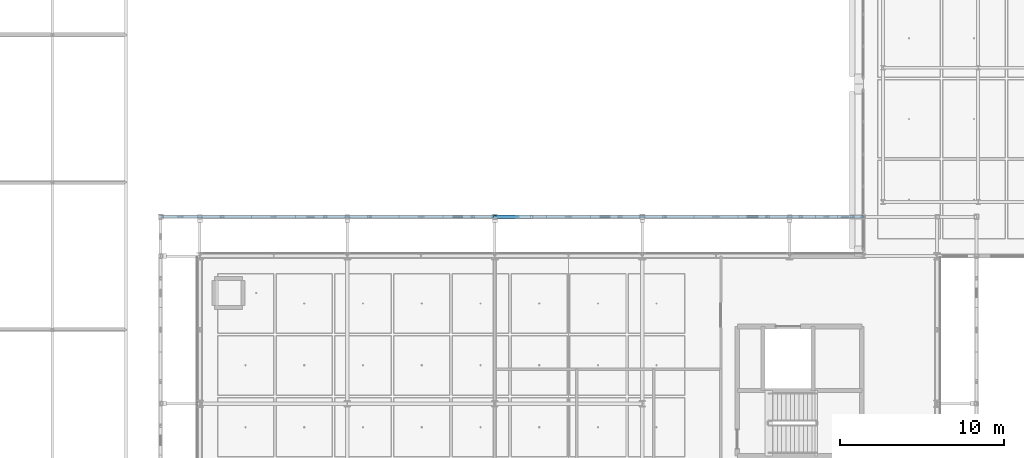
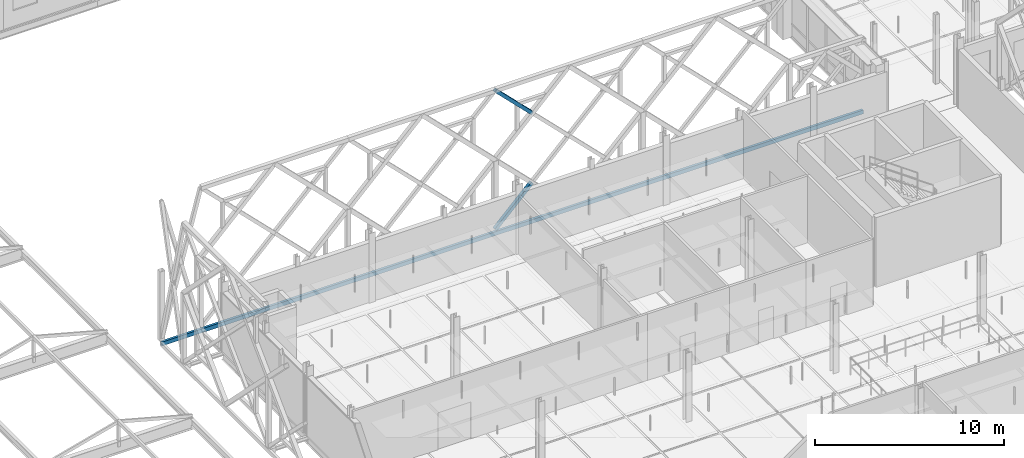
# One storey, part 39 of 140: 2 members, 1 beam.
"""IFC4 building model written with IfcOpenShell, lengths in metres."""

from ifc_helpers import new_model, si_unit, direction, frame, origin, origin_2d, place, context, subcontext, project, spatial, hollow_rectangle, extrude, material, material_profile, profile_set, type_object, element, save


model = new_model("IFC4")

# Units and contexts
model_context = context("Model", 3, precision=1e-05, world=origin(), true_north=direction((0.0, 1.0)))
body_context = subcontext(model_context, "Body", "Model", "MODEL_VIEW")
ifc_project = project(units=[si_unit("LENGTHUNIT", "METRE"), si_unit("AREAUNIT", "SQUARE_METRE"), si_unit("VOLUMEUNIT", "CUBIC_METRE"), si_unit("PLANEANGLEUNIT", "RADIAN"), si_unit("MASSUNIT", "GRAM", prefix="KILO"), si_unit("THERMODYNAMICTEMPERATUREUNIT", "KELVIN"), si_unit("POWERUNIT", "WATT")], contexts=[model_context])

# Site, building, storey
site_placement = place(None, origin())
site = spatial("IfcSite", under=ifc_project, at=site_placement, CompositionType="ELEMENT")
building_placement = place(site_placement, origin())
building = spatial("IfcBuilding", under=site, at=building_placement, Name="Tallowbark Science Centre", CompositionType="ELEMENT")
storey_placement = place(building_placement, frame((0.0, 0.0, 9.89990234375)))
storey = spatial("IfcBuildingStorey", under=building, at=storey_placement, Name="L02", CompositionType="ELEMENT", Elevation=9.89990234375)

# Members
ifc_material = material(Name="White Architectural Painted Steel Grade C350L0 (350 MPa)", Category="steel")
ifc_material_profile_1 = material_profile(ifc_material, hollow_rectangle(XDim=0.199951171875, YDim=0.199951171875, WallThickness=0.009033203125, at=origin_2d()), Name="200x200x9.0SHS")
ifc_profile_set_1 = profile_set([ifc_material_profile_1], Name="White Architectural Painted Steel Grade C350L0 (350 MPa)")
member_type = type_object("IfcMemberType", Name="SCR-STAR139", PredefinedType="BRACE", material=ifc_profile_set_1)
for number, where, z_axis, x_axis, name in (
    (1, (76.5, 42.89990234375, 0.0), (0.707106781187, 0.0, 0.707106781187), (0.0, 1.0, 0.0), "Star Screen Continuous X-Diagonal D1A N-22"),
    (2, (76.5, 42.89990234375, 9.0), (0.707106781187, 0.0, -0.707106781187), (0.0, 1.0, 0.0), "Star Screen Split X-Diagonal D2A N-22"),
):
    element("IfcMember", number, at=place(storey_placement, frame(where, z_axis=z_axis, x_axis=x_axis)), inside=storey, type_object=member_type, Name=name, PredefinedType="BRACE", context=body_context, shape_type="SweptSolid", body=[
        extrude(hollow_rectangle(XDim=0.199951171875, YDim=0.199951171875, WallThickness=0.009033203125, at=origin_2d()), origin(), (0.0, 0.0, 1.0), 3.181884765625),
    ])

# Beam
ifc_material_profile_2 = material_profile(ifc_material, hollow_rectangle(XDim=0.14990234375, YDim=0.25, WallThickness=0.009033203125, at=origin_2d()), Name="250x150x9.0RHS")
ifc_profile_set_2 = profile_set([ifc_material_profile_2], Name="White Architectural Painted Steel Grade C350L0 (350 MPa)")
beam_type = type_object("IfcBeamType", Name="SPN-RHS250", PredefinedType="SPANDREL", material=ifc_profile_set_2)
beam_placement = place(storey_placement, frame((56.10009765625, 42.89990234375, -0.25), z_axis=(1.0, 0.0, 0.0), x_axis=(0.0, 1.0, 0.0)))
element("IfcBeam", 3, at=beam_placement, inside=storey, type_object=beam_type, Name="Star Screen Perimeter Ring Beam N-L02", PredefinedType="SPANDREL", context=body_context, shape_type="SweptSolid", body=[
    extrude(hollow_rectangle(XDim=0.14990234375, YDim=0.25, WallThickness=0.009033203125, at=origin_2d()), origin(), (0.0, 0.0, 1.0), 42.89990234375),
])

save(model, "model.ifc")
